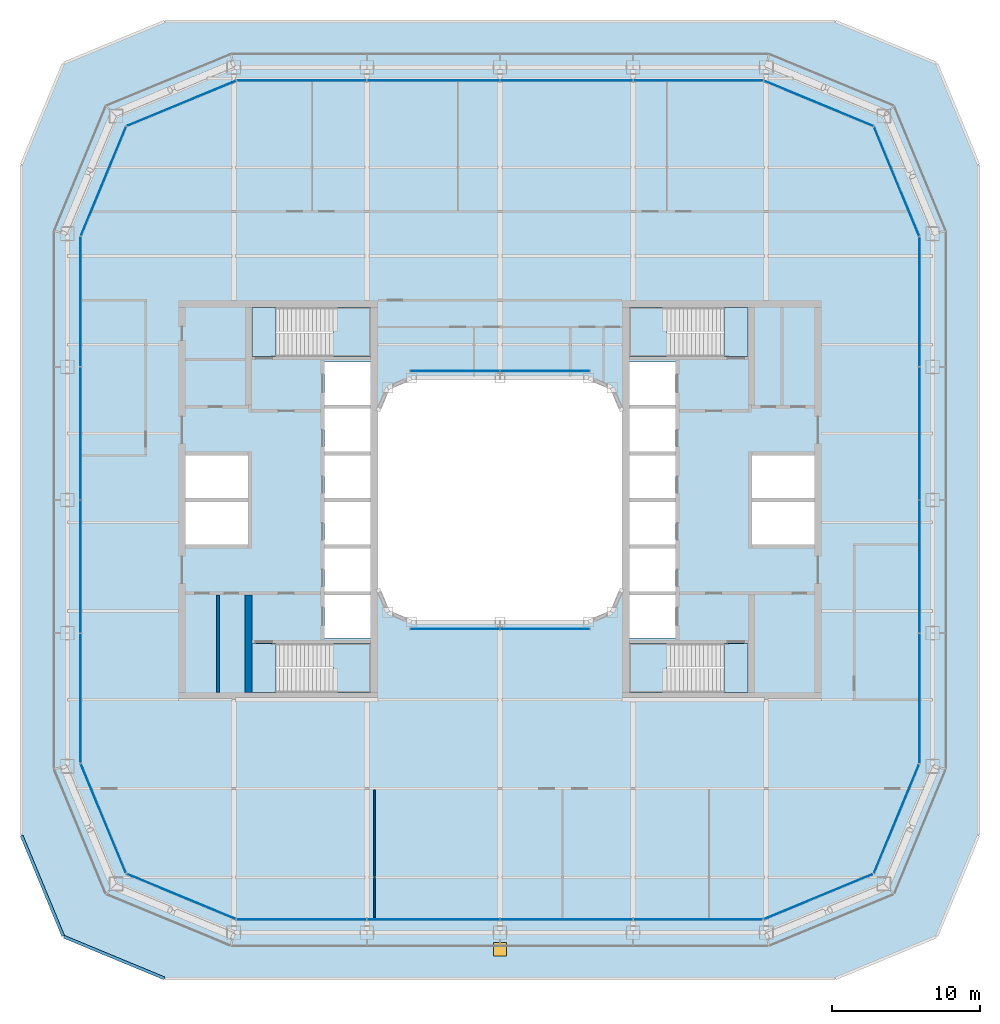
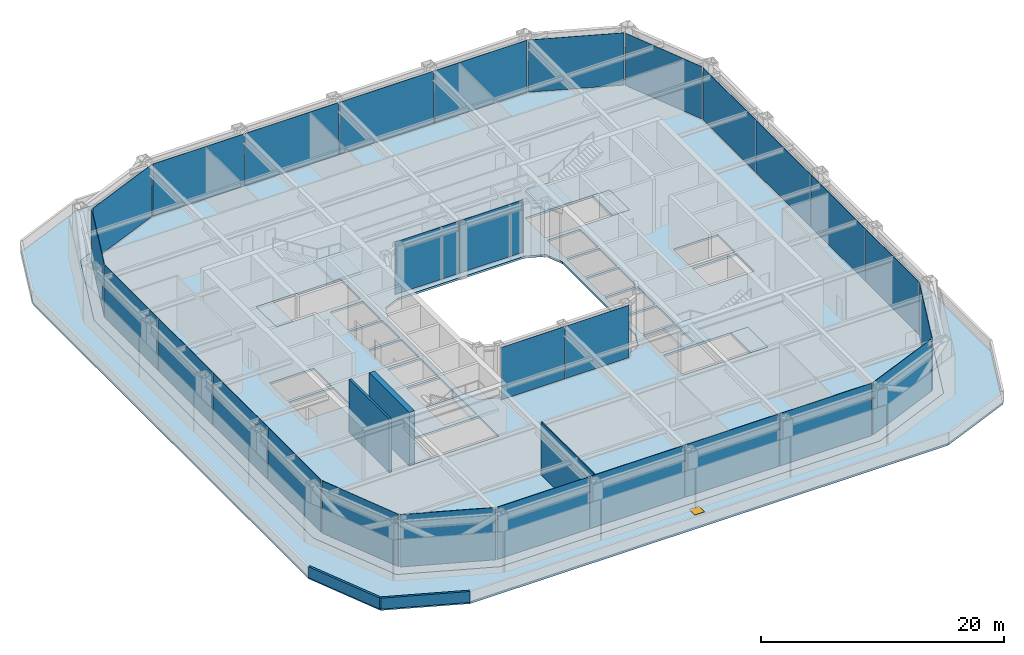
# One storey, part 10 of 21: 28 plates, 10 slabs, 5 walls, 1 window, 1 opening, 18 elements without a shape of their own.
"""IFC4 building model written with IfcOpenShell, lengths in metres."""

from ifc_helpers import new_model, si_unit, direction, frame, frame_2d, origin, origin_2d, place, context, subcontext, project, spatial, polyline, rectangle, outline, extrude, material, layer, layer_set, type_object, element, fill, aggregate, save


model = new_model("IFC4")

# Units and contexts
model_context = context("Model", 3, precision=1e-05, world=origin(), true_north=direction((0.0, 1.0)))
body_context = subcontext(model_context, "Body", "Model", "MODEL_VIEW")
ifc_project = project(units=[si_unit("LENGTHUNIT", "METRE"), si_unit("AREAUNIT", "SQUARE_METRE"), si_unit("VOLUMEUNIT", "CUBIC_METRE"), si_unit("PLANEANGLEUNIT", "RADIAN"), si_unit("MASSUNIT", "GRAM", prefix="KILO")], contexts=[model_context])

# Site, building, storey
site_placement = place(None, origin())
site = spatial("IfcSite", under=ifc_project, at=site_placement, CompositionType="ELEMENT")
building_placement = place(site_placement, origin())
building = spatial("IfcBuilding", under=site, at=building_placement, Name="Siwar Civic Tower", CompositionType="ELEMENT")
storey_placement = place(building_placement, frame((0.0, 0.0, 99.199951171875)))
storey = spatial("IfcBuildingStorey", under=building, at=storey_placement, Name="L21", CompositionType="ELEMENT", Elevation=99.199951171875)

# Stair, slabs
ifc_material_1 = material(Name="Concrete C40/50", Category="concrete")
stair_type = type_object("IfcStairType", Name="CORE-STAIR", PredefinedType="TWO_STRAIGHT_RUN_STAIR", material=ifc_material_1)
stair_1_placement = place(storey_placement, origin())
stair_1 = element("IfcStair", 1, at=stair_1_placement, inside=storey, type_object=stair_type, Name="Exit stair ST1", PredefinedType="TWO_STRAIGHT_RUN_STAIR")
ifc_material_2 = material(Name="Concrete C40/50", Category="concrete")
ifc_layer_1 = layer(ifc_material_2, 0.300048828125)
ifc_layer_set_1 = layer_set([ifc_layer_1], Name="Concrete C40/50")
slab_type_1 = type_object("IfcSlabType", Name="CORE-STAIR-LANDING", PredefinedType="LANDING", material=ifc_layer_set_1)
slab_1_placement = place(storey_placement, frame((0.0, 0.0, -0.300048828125)))
slab_1 = element("IfcSlab", 2, at=slab_1_placement, type_object=slab_type_1, Name="ST1 landing 1", PredefinedType="LANDING", context=body_context, shape_type="SweptSolid", body=[
    extrude(outline(polyline([(-15.14990234375, 13.0), (-16.75, 13.0), (-16.75, 9.699951171875), (-15.14990234375, 9.699951171875), (-15.14990234375, 13.0)])), origin(), (0.0, 0.0, 1.0), 0.300048828125),
])
slab_2_placement = place(storey_placement, frame((0.0, 0.0, 2.449951171875)))
slab_2 = element("IfcSlab", 3, at=slab_2_placement, type_object=slab_type_1, Name="ST1 landing 2", PredefinedType="LANDING", context=body_context, shape_type="SweptSolid", body=[
    extrude(outline(polyline([(-8.75, 13.0), (-11.300048828125, 13.0), (-11.300048828125, 9.699951171875), (-8.75, 9.699951171875), (-8.75, 13.0)])), origin(), (0.0, 0.0, 1.0), 0.300048828125),
])
aggregate(stair_1, [slab_1, slab_2])

stair_2_placement = place(storey_placement, origin())
stair_2 = element("IfcStair", 4, at=stair_2_placement, inside=storey, type_object=stair_type, Name="Exit stair ST2", PredefinedType="TWO_STRAIGHT_RUN_STAIR")
slab_3_placement = place(storey_placement, frame((0.0, 0.0, -0.300048828125)))
slab_3 = element("IfcSlab", 5, at=slab_3_placement, type_object=slab_type_1, Name="ST2 landing 1", PredefinedType="LANDING", context=body_context, shape_type="SweptSolid", body=[
    extrude(outline(polyline([(-15.14990234375, -9.699951171875), (-16.75, -9.699951171875), (-16.75, -13.0), (-15.14990234375, -13.0), (-15.14990234375, -9.699951171875)])), origin(), (0.0, 0.0, 1.0), 0.300048828125),
])
slab_4_placement = place(storey_placement, frame((0.0, 0.0, 2.449951171875)))
slab_4 = element("IfcSlab", 6, at=slab_4_placement, type_object=slab_type_1, Name="ST2 landing 2", PredefinedType="LANDING", context=body_context, shape_type="SweptSolid", body=[
    extrude(outline(polyline([(-8.75, -9.699951171875), (-11.300048828125, -9.699951171875), (-11.300048828125, -13.0), (-8.75, -13.0), (-8.75, -9.699951171875)])), origin(), (0.0, 0.0, 1.0), 0.300048828125),
])
aggregate(stair_2, [slab_3, slab_4])

stair_3_placement = place(storey_placement, origin())
stair_3 = element("IfcStair", 7, at=stair_3_placement, inside=storey, type_object=stair_type, Name="Exit stair ST3", PredefinedType="TWO_STRAIGHT_RUN_STAIR")
slab_5_placement = place(storey_placement, frame((0.0, 0.0, -0.300048828125)))
slab_5 = element("IfcSlab", 8, at=slab_5_placement, type_object=slab_type_1, Name="ST3 landing 1", PredefinedType="LANDING", context=body_context, shape_type="SweptSolid", body=[
    extrude(outline(polyline([(15.14990234375, 9.699951171875), (16.75, 9.699951171875), (16.75, 13.0), (15.14990234375, 13.0), (15.14990234375, 9.699951171875)])), origin(), (0.0, 0.0, 1.0), 0.300048828125),
])
slab_6_placement = place(storey_placement, frame((0.0, 0.0, 2.449951171875)))
slab_6 = element("IfcSlab", 9, at=slab_6_placement, type_object=slab_type_1, Name="ST3 landing 2", PredefinedType="LANDING", context=body_context, shape_type="SweptSolid", body=[
    extrude(outline(polyline([(8.75, 9.699951171875), (11.300048828125, 9.699951171875), (11.300048828125, 13.0), (8.75, 13.0), (8.75, 9.699951171875)])), origin(), (0.0, 0.0, 1.0), 0.300048828125),
])
aggregate(stair_3, [slab_5, slab_6])

stair_4_placement = place(storey_placement, origin())
stair_4 = element("IfcStair", 10, at=stair_4_placement, inside=storey, type_object=stair_type, Name="Exit stair ST4", PredefinedType="TWO_STRAIGHT_RUN_STAIR")
slab_7_placement = place(storey_placement, frame((0.0, 0.0, -0.300048828125)))
slab_7 = element("IfcSlab", 11, at=slab_7_placement, type_object=slab_type_1, Name="ST4 landing 1", PredefinedType="LANDING", context=body_context, shape_type="SweptSolid", body=[
    extrude(outline(polyline([(15.14990234375, -13.0), (16.75, -13.0), (16.75, -9.699951171875), (15.14990234375, -9.699951171875), (15.14990234375, -13.0)])), origin(), (0.0, 0.0, 1.0), 0.300048828125),
])
slab_8_placement = place(storey_placement, frame((0.0, 0.0, 2.449951171875)))
slab_8 = element("IfcSlab", 12, at=slab_8_placement, type_object=slab_type_1, Name="ST4 landing 2", PredefinedType="LANDING", context=body_context, shape_type="SweptSolid", body=[
    extrude(outline(polyline([(8.75, -13.0), (11.300048828125, -13.0), (11.300048828125, -9.699951171875), (8.75, -9.699951171875), (8.75, -13.0)])), origin(), (0.0, 0.0, 1.0), 0.300048828125),
])
aggregate(stair_4, [slab_7, slab_8])

# Curtain wall, plates
ifc_material_3 = material(Name="Aluminium and glass", Category="aluminium")
ifc_layer_2 = layer(ifc_material_3, 0.199951171875)
ifc_layer_set_2 = layer_set([ifc_layer_2], Name="Aluminium and glass")
curtain_wall_type_1 = type_object("IfcCurtainWallType", Name="ENV-CW-B", PredefinedType="NOTDEFINED", material=ifc_layer_set_2)
curtain_wall_1_placement = place(storey_placement, origin())
curtain_wall_1 = element("IfcCurtainWall", 13, at=curtain_wall_1_placement, inside=storey, type_object=curtain_wall_type_1, Name="Curtain wall B S", PredefinedType="NOTDEFINED")
ifc_material_4 = material(Name="Glass clear laminated", Category="glass")
ifc_layer_3 = layer(ifc_material_4, 0.033935546875)
ifc_layer_set_3 = layer_set([ifc_layer_3], Name="Glass clear laminated")
plate_type_1 = type_object("IfcPlateType", Name="ENV-PANEL-B", PredefinedType="CURTAIN_PANEL", material=ifc_layer_set_3)
plate_1_placement = place(storey_placement, frame((-13.410400390625, -28.35009765625, 0.10986328125), z_axis=(0.0, 0.0, 1.0), x_axis=(1.0, 0.0, 0.0)))
plate_1 = element("IfcPlate", 14, at=plate_1_placement, type_object=plate_type_1, Name="Curtain panel B S 1", PredefinedType="CURTAIN_PANEL", context=body_context, shape_type="SweptSolid", body=[
    extrude(rectangle(XDim=8.755859375, YDim=0.033935546875, at=origin_2d()), origin(), (0.0, 0.0, 1.0), 5.239990234375),
])
plate_2_placement = place(storey_placement, frame((-4.5, -28.35009765625, 0.10986328125), z_axis=(0.0, 0.0, 1.0), x_axis=(1.0, 0.0, 0.0)))
plate_2 = element("IfcPlate", 15, at=plate_2_placement, type_object=plate_type_1, Name="Curtain panel B S 2", PredefinedType="CURTAIN_PANEL", context=body_context, shape_type="SweptSolid", body=[
    extrude(rectangle(XDim=8.93505859375, YDim=0.033935546875, at=origin_2d()), origin(), (0.0, 0.0, 1.0), 5.239990234375),
])
plate_3_placement = place(storey_placement, frame((4.5, -28.35009765625, 0.10986328125), z_axis=(0.0, 0.0, 1.0), x_axis=(1.0, 0.0, 0.0)))
plate_3 = element("IfcPlate", 16, at=plate_3_placement, type_object=plate_type_1, Name="Curtain panel B S 3", PredefinedType="CURTAIN_PANEL", context=body_context, shape_type="SweptSolid", body=[
    extrude(rectangle(XDim=8.93505859375, YDim=0.033935546875, at=origin_2d()), origin(), (0.0, 0.0, 1.0), 5.239990234375),
])
plate_4_placement = place(storey_placement, frame((13.369873046875, -28.35009765625, 0.10986328125), z_axis=(0.0, 0.0, 1.0), x_axis=(1.0, 0.0, 0.0)))
plate_4 = element("IfcPlate", 17, at=plate_4_placement, type_object=plate_type_1, Name="Curtain panel B S 4", PredefinedType="CURTAIN_PANEL", context=body_context, shape_type="SweptSolid", body=[
    extrude(rectangle(XDim=8.6748046875, YDim=0.033935546875, at=origin_2d()), origin(), (0.0, 0.0, 1.0), 5.239990234375),
])
aggregate(curtain_wall_1, [plate_1, plate_2, plate_3, plate_4])

curtain_wall_2_placement = place(storey_placement, origin())
curtain_wall_2 = element("IfcCurtainWall", 18, at=curtain_wall_2_placement, inside=storey, type_object=curtain_wall_type_1, Name="Curtain wall B E", PredefinedType="NOTDEFINED")
plate_5_placement = place(storey_placement, frame((28.35009765625, -13.410400390625, 0.10986328125), z_axis=(0.0, 0.0, 1.0), x_axis=(0.0, 1.0, 0.0)))
plate_5 = element("IfcPlate", 19, at=plate_5_placement, type_object=plate_type_1, Name="Curtain panel B E 1", PredefinedType="CURTAIN_PANEL", context=body_context, shape_type="SweptSolid", body=[
    extrude(rectangle(XDim=8.755859375, YDim=0.033935546875, at=origin_2d()), origin(), (0.0, 0.0, 1.0), 5.239990234375),
])
plate_6_placement = place(storey_placement, frame((28.35009765625, -4.5, 0.10986328125), z_axis=(0.0, 0.0, 1.0), x_axis=(0.0, 1.0, 0.0)))
plate_6 = element("IfcPlate", 20, at=plate_6_placement, type_object=plate_type_1, Name="Curtain panel B E 2", PredefinedType="CURTAIN_PANEL", context=body_context, shape_type="SweptSolid", body=[
    extrude(rectangle(XDim=8.93505859375, YDim=0.033935546875, at=origin_2d()), origin(), (0.0, 0.0, 1.0), 5.239990234375),
])
plate_7_placement = place(storey_placement, frame((28.35009765625, 4.5, 0.10986328125), z_axis=(0.0, 0.0, 1.0), x_axis=(0.0, 1.0, 0.0)))
plate_7 = element("IfcPlate", 21, at=plate_7_placement, type_object=plate_type_1, Name="Curtain panel B E 3", PredefinedType="CURTAIN_PANEL", context=body_context, shape_type="SweptSolid", body=[
    extrude(rectangle(XDim=8.93505859375, YDim=0.033935546875, at=origin_2d()), origin(), (0.0, 0.0, 1.0), 5.239990234375),
])
plate_8_placement = place(storey_placement, frame((28.35009765625, 13.369873046875, 0.10986328125), z_axis=(0.0, 0.0, 1.0), x_axis=(0.0, 1.0, 0.0)))
plate_8 = element("IfcPlate", 22, at=plate_8_placement, type_object=plate_type_1, Name="Curtain panel B E 4", PredefinedType="CURTAIN_PANEL", context=body_context, shape_type="SweptSolid", body=[
    extrude(rectangle(XDim=8.6748046875, YDim=0.033935546875, at=origin_2d()), origin(), (0.0, 0.0, 1.0), 5.239990234375),
])
aggregate(curtain_wall_2, [plate_5, plate_6, plate_7, plate_8])

curtain_wall_3_placement = place(storey_placement, origin())
curtain_wall_3 = element("IfcCurtainWall", 23, at=curtain_wall_3_placement, inside=storey, type_object=curtain_wall_type_1, Name="Curtain wall B N", PredefinedType="NOTDEFINED")
plate_9_placement = place(storey_placement, frame((13.410400390625, 28.35009765625, 0.10986328125), z_axis=(0.0, 0.0, 1.0), x_axis=(-1.0, 0.0, 0.0)))
plate_9 = element("IfcPlate", 24, at=plate_9_placement, type_object=plate_type_1, Name="Curtain panel B N 1", PredefinedType="CURTAIN_PANEL", context=body_context, shape_type="SweptSolid", body=[
    extrude(rectangle(XDim=8.755859375, YDim=0.033935546875, at=origin_2d()), origin(), (0.0, 0.0, 1.0), 5.239990234375),
])
plate_10_placement = place(storey_placement, frame((4.5, 28.35009765625, 0.10986328125), z_axis=(0.0, 0.0, 1.0), x_axis=(-1.0, 0.0, 0.0)))
plate_10 = element("IfcPlate", 25, at=plate_10_placement, type_object=plate_type_1, Name="Curtain panel B N 2", PredefinedType="CURTAIN_PANEL", context=body_context, shape_type="SweptSolid", body=[
    extrude(rectangle(XDim=8.93505859375, YDim=0.033935546875, at=origin_2d()), origin(), (0.0, 0.0, 1.0), 5.239990234375),
])
plate_11_placement = place(storey_placement, frame((-4.5, 28.35009765625, 0.10986328125), z_axis=(0.0, 0.0, 1.0), x_axis=(-1.0, 0.0, 0.0)))
plate_11 = element("IfcPlate", 26, at=plate_11_placement, type_object=plate_type_1, Name="Curtain panel B N 3", PredefinedType="CURTAIN_PANEL", context=body_context, shape_type="SweptSolid", body=[
    extrude(rectangle(XDim=8.93505859375, YDim=0.033935546875, at=origin_2d()), origin(), (0.0, 0.0, 1.0), 5.239990234375),
])
plate_12_placement = place(storey_placement, frame((-13.369873046875, 28.35009765625, 0.10986328125), z_axis=(0.0, 0.0, 1.0), x_axis=(-1.0, 0.0, 0.0)))
plate_12 = element("IfcPlate", 27, at=plate_12_placement, type_object=plate_type_1, Name="Curtain panel B N 4", PredefinedType="CURTAIN_PANEL", context=body_context, shape_type="SweptSolid", body=[
    extrude(rectangle(XDim=8.6748046875, YDim=0.033935546875, at=origin_2d()), origin(), (0.0, 0.0, 1.0), 5.239990234375),
])
aggregate(curtain_wall_3, [plate_9, plate_10, plate_11, plate_12])

curtain_wall_4_placement = place(storey_placement, origin())
curtain_wall_4 = element("IfcCurtainWall", 28, at=curtain_wall_4_placement, inside=storey, type_object=curtain_wall_type_1, Name="Curtain wall B W", PredefinedType="NOTDEFINED")
plate_13_placement = place(storey_placement, frame((-28.35009765625, 13.410400390625, 0.10986328125), z_axis=(0.0, 0.0, 1.0), x_axis=(0.0, -1.0, 0.0)))
plate_13 = element("IfcPlate", 29, at=plate_13_placement, type_object=plate_type_1, Name="Curtain panel B W 1", PredefinedType="CURTAIN_PANEL", context=body_context, shape_type="SweptSolid", body=[
    extrude(rectangle(XDim=8.755859375, YDim=0.033935546875, at=origin_2d()), origin(), (0.0, 0.0, 1.0), 5.239990234375),
])
plate_14_placement = place(storey_placement, frame((-28.35009765625, 4.5, 0.10986328125), z_axis=(0.0, 0.0, 1.0), x_axis=(0.0, -1.0, 0.0)))
plate_14 = element("IfcPlate", 30, at=plate_14_placement, type_object=plate_type_1, Name="Curtain panel B W 2", PredefinedType="CURTAIN_PANEL", context=body_context, shape_type="SweptSolid", body=[
    extrude(rectangle(XDim=8.93505859375, YDim=0.033935546875, at=origin_2d()), origin(), (0.0, 0.0, 1.0), 5.239990234375),
])
plate_15_placement = place(storey_placement, frame((-28.35009765625, -4.5, 0.10986328125), z_axis=(0.0, 0.0, 1.0), x_axis=(0.0, -1.0, 0.0)))
plate_15 = element("IfcPlate", 31, at=plate_15_placement, type_object=plate_type_1, Name="Curtain panel B W 3", PredefinedType="CURTAIN_PANEL", context=body_context, shape_type="SweptSolid", body=[
    extrude(rectangle(XDim=8.93505859375, YDim=0.033935546875, at=origin_2d()), origin(), (0.0, 0.0, 1.0), 5.239990234375),
])
plate_16_placement = place(storey_placement, frame((-28.35009765625, -13.369873046875, 0.10986328125), z_axis=(0.0, 0.0, 1.0), x_axis=(0.0, -1.0, 0.0)))
plate_16 = element("IfcPlate", 32, at=plate_16_placement, type_object=plate_type_1, Name="Curtain panel B W 4", PredefinedType="CURTAIN_PANEL", context=body_context, shape_type="SweptSolid", body=[
    extrude(rectangle(XDim=8.6748046875, YDim=0.033935546875, at=origin_2d()), origin(), (0.0, 0.0, 1.0), 5.239990234375),
])
aggregate(curtain_wall_4, [plate_13, plate_14, plate_15, plate_16])

# Curtain wall, plate
ifc_material_5 = material(Name="Aluminium clad insulated panel", Category="aluminium")
ifc_layer_4 = layer(ifc_material_5, 0.199951171875)
ifc_layer_set_4 = layer_set([ifc_layer_4], Name="Aluminium clad insulated panel")
curtain_wall_type_2 = type_object("IfcCurtainWallType", Name="ENV-CW-BX", PredefinedType="NOTDEFINED", material=ifc_layer_set_4)
curtain_wall_5_placement = place(storey_placement, origin())
curtain_wall_5 = element("IfcCurtainWall", 33, at=curtain_wall_5_placement, inside=storey, type_object=curtain_wall_type_2, Name="Curtain wall B SE1", PredefinedType="NOTDEFINED")
ifc_material_6 = material(Name="Aluminium clad insulated panel", Category="aluminium")
ifc_layer_5 = layer(ifc_material_6, 0.033935546875)
ifc_layer_set_5 = layer_set([ifc_layer_5], Name="Aluminium clad insulated panel")
plate_type_2 = type_object("IfcPlateType", Name="ENV-PANEL-BX", PredefinedType="CURTAIN_PANEL", material=ifc_layer_set_5)
plate_17_placement = place(storey_placement, frame((21.506103515625, -26.823486328125, 0.10986328125), z_axis=(0.0, 0.0, 1.0), x_axis=(0.923879532511, 0.382683432365, 0.0)))
plate_17 = element("IfcPlate", 34, at=plate_17_placement, type_object=plate_type_2, Name="Curtain panel B SE1 1", PredefinedType="CURTAIN_PANEL", context=body_context, shape_type="SweptSolid", body=[
    extrude(rectangle(XDim=7.912353515625, YDim=0.033935546875, at=origin_2d()), origin(), (0.0, 0.0, 1.0), 5.239990234375),
])
aggregate(curtain_wall_5, [plate_17])

curtain_wall_6_placement = place(storey_placement, origin())
curtain_wall_6 = element("IfcCurtainWall", 35, at=curtain_wall_6_placement, inside=storey, type_object=curtain_wall_type_2, Name="Curtain wall B SE2", PredefinedType="NOTDEFINED")
plate_18_placement = place(storey_placement, frame((26.79248046875, -21.5810546875, 0.10986328125), z_axis=(0.0, 0.0, 1.0), x_axis=(0.382683432365, 0.923879532511, 0.0)))
plate_18 = element("IfcPlate", 36, at=plate_18_placement, type_object=plate_type_2, Name="Curtain panel B SE2 1", PredefinedType="CURTAIN_PANEL", context=body_context, shape_type="SweptSolid", body=[
    extrude(rectangle(XDim=7.912353515625, YDim=0.033935546875, at=origin_2d()), origin(), (0.0, 0.0, 1.0), 5.239990234375),
])
aggregate(curtain_wall_6, [plate_18])

curtain_wall_7_placement = place(storey_placement, origin())
curtain_wall_7 = element("IfcCurtainWall", 37, at=curtain_wall_7_placement, inside=storey, type_object=curtain_wall_type_2, Name="Curtain wall B NE1", PredefinedType="NOTDEFINED")
plate_19_placement = place(storey_placement, frame((26.823486328125, 21.506103515625, 0.10986328125), z_axis=(0.0, 0.0, 1.0), x_axis=(-0.382683432365, 0.923879532511, 0.0)))
plate_19 = element("IfcPlate", 38, at=plate_19_placement, type_object=plate_type_2, Name="Curtain panel B NE1 1", PredefinedType="CURTAIN_PANEL", context=body_context, shape_type="SweptSolid", body=[
    extrude(rectangle(XDim=7.912353515625, YDim=0.033935546875, at=origin_2d()), origin(), (0.0, 0.0, 1.0), 5.239990234375),
])
aggregate(curtain_wall_7, [plate_19])

curtain_wall_8_placement = place(storey_placement, origin())
curtain_wall_8 = element("IfcCurtainWall", 39, at=curtain_wall_8_placement, inside=storey, type_object=curtain_wall_type_2, Name="Curtain wall B NE2", PredefinedType="NOTDEFINED")
plate_20_placement = place(storey_placement, frame((21.5810546875, 26.79248046875, 0.10986328125), z_axis=(0.0, 0.0, 1.0), x_axis=(-0.923879532511, 0.382683432365, 0.0)))
plate_20 = element("IfcPlate", 40, at=plate_20_placement, type_object=plate_type_2, Name="Curtain panel B NE2 1", PredefinedType="CURTAIN_PANEL", context=body_context, shape_type="SweptSolid", body=[
    extrude(rectangle(XDim=7.912353515625, YDim=0.033935546875, at=origin_2d()), origin(), (0.0, 0.0, 1.0), 5.239990234375),
])
aggregate(curtain_wall_8, [plate_20])

curtain_wall_9_placement = place(storey_placement, origin())
curtain_wall_9 = element("IfcCurtainWall", 41, at=curtain_wall_9_placement, inside=storey, type_object=curtain_wall_type_2, Name="Curtain wall B NW1", PredefinedType="NOTDEFINED")
plate_21_placement = place(storey_placement, frame((-21.506103515625, 26.823486328125, 0.10986328125), z_axis=(0.0, 0.0, 1.0), x_axis=(-0.923879532511, -0.382683432365, 0.0)))
plate_21 = element("IfcPlate", 42, at=plate_21_placement, type_object=plate_type_2, Name="Curtain panel B NW1 1", PredefinedType="CURTAIN_PANEL", context=body_context, shape_type="SweptSolid", body=[
    extrude(rectangle(XDim=7.912353515625, YDim=0.033935546875, at=origin_2d()), origin(), (0.0, 0.0, 1.0), 5.239990234375),
])
aggregate(curtain_wall_9, [plate_21])

curtain_wall_10_placement = place(storey_placement, origin())
curtain_wall_10 = element("IfcCurtainWall", 43, at=curtain_wall_10_placement, inside=storey, type_object=curtain_wall_type_2, Name="Curtain wall B NW2", PredefinedType="NOTDEFINED")
plate_22_placement = place(storey_placement, frame((-26.79248046875, 21.5810546875, 0.10986328125), z_axis=(0.0, 0.0, 1.0), x_axis=(-0.382683432365, -0.923879532511, 0.0)))
plate_22 = element("IfcPlate", 44, at=plate_22_placement, type_object=plate_type_2, Name="Curtain panel B NW2 1", PredefinedType="CURTAIN_PANEL", context=body_context, shape_type="SweptSolid", body=[
    extrude(rectangle(XDim=7.912353515625, YDim=0.033935546875, at=origin_2d()), origin(), (0.0, 0.0, 1.0), 5.239990234375),
])
aggregate(curtain_wall_10, [plate_22])

curtain_wall_11_placement = place(storey_placement, origin())
curtain_wall_11 = element("IfcCurtainWall", 45, at=curtain_wall_11_placement, inside=storey, type_object=curtain_wall_type_2, Name="Curtain wall B SW1", PredefinedType="NOTDEFINED")
plate_23_placement = place(storey_placement, frame((-26.823486328125, -21.506103515625, 0.10986328125), z_axis=(0.0, 0.0, 1.0), x_axis=(0.382683432365, -0.923879532511, 0.0)))
plate_23 = element("IfcPlate", 46, at=plate_23_placement, type_object=plate_type_2, Name="Curtain panel B SW1 1", PredefinedType="CURTAIN_PANEL", context=body_context, shape_type="SweptSolid", body=[
    extrude(rectangle(XDim=7.912353515625, YDim=0.033935546875, at=origin_2d()), origin(), (0.0, 0.0, 1.0), 5.239990234375),
])
aggregate(curtain_wall_11, [plate_23])

curtain_wall_12_placement = place(storey_placement, origin())
curtain_wall_12 = element("IfcCurtainWall", 47, at=curtain_wall_12_placement, inside=storey, type_object=curtain_wall_type_2, Name="Curtain wall B SW2", PredefinedType="NOTDEFINED")
plate_24_placement = place(storey_placement, frame((-21.5810546875, -26.79248046875, 0.10986328125), z_axis=(0.0, 0.0, 1.0), x_axis=(0.923879532511, -0.382683432365, 0.0)))
plate_24 = element("IfcPlate", 48, at=plate_24_placement, type_object=plate_type_2, Name="Curtain panel B SW2 1", PredefinedType="CURTAIN_PANEL", context=body_context, shape_type="SweptSolid", body=[
    extrude(rectangle(XDim=7.912353515625, YDim=0.033935546875, at=origin_2d()), origin(), (0.0, 0.0, 1.0), 5.239990234375),
])
aggregate(curtain_wall_12, [plate_24])

# Curtain wall, plates
ifc_material_7 = material(Name="Aluminium and glass", Category="aluminium")
ifc_layer_6 = layer(ifc_material_7, 0.179931640625)
ifc_layer_set_6 = layer_set([ifc_layer_6], Name="Aluminium and glass")
curtain_wall_type_3 = type_object("IfcCurtainWallType", Name="ENV-CW-W", PredefinedType="NOTDEFINED", material=ifc_layer_set_6)
curtain_wall_13_placement = place(storey_placement, origin())
curtain_wall_13 = element("IfcCurtainWall", 49, at=curtain_wall_13_placement, inside=storey, type_object=curtain_wall_type_3, Name="Curtain wall W WS", PredefinedType="NOTDEFINED")
ifc_material_8 = material(Name="Glass clear laminated", Category="glass")
ifc_layer_7 = layer(ifc_material_8, 0.031982421875)
ifc_layer_set_7 = layer_set([ifc_layer_7], Name="Glass clear laminated")
plate_type_3 = type_object("IfcPlateType", Name="ENV-PANEL-W", PredefinedType="CURTAIN_PANEL", material=ifc_layer_set_7)
plate_25_placement = place(storey_placement, frame((-3.045654296875, -8.7099609375, 0.10009765625), z_axis=(0.0, 0.0, 1.0), x_axis=(1.0, 0.0, 0.0)))
plate_25 = element("IfcPlate", 50, at=plate_25_placement, type_object=plate_type_3, Name="Curtain panel W WS 1", PredefinedType="CURTAIN_PANEL", context=body_context, shape_type="SweptSolid", body=[
    extrude(rectangle(XDim=6.031494140625, YDim=0.031982421875, at=origin_2d()), origin(), (0.0, 0.0, 1.0), 5.25),
])
plate_26_placement = place(storey_placement, frame((3.045654296875, -8.7099609375, 0.10009765625), z_axis=(0.0, 0.0, 1.0), x_axis=(1.0, 0.0, 0.0)))
plate_26 = element("IfcPlate", 51, at=plate_26_placement, type_object=plate_type_3, Name="Curtain panel W WS 2", PredefinedType="CURTAIN_PANEL", context=body_context, shape_type="SweptSolid", body=[
    extrude(rectangle(XDim=6.031494140625, YDim=0.031982421875, at=origin_2d()), origin(), (0.0, 0.0, 1.0), 5.25),
])
aggregate(curtain_wall_13, [plate_25, plate_26])

curtain_wall_14_placement = place(storey_placement, origin())
curtain_wall_14 = element("IfcCurtainWall", 52, at=curtain_wall_14_placement, inside=storey, type_object=curtain_wall_type_3, Name="Curtain wall W WN", PredefinedType="NOTDEFINED")
plate_27_placement = place(storey_placement, frame((3.045654296875, 8.7099609375, 0.10009765625), z_axis=(0.0, 0.0, 1.0), x_axis=(-1.0, 0.0, 0.0)))
plate_27 = element("IfcPlate", 53, at=plate_27_placement, type_object=plate_type_3, Name="Curtain panel W WN 1", PredefinedType="CURTAIN_PANEL", context=body_context, shape_type="SweptSolid", body=[
    extrude(rectangle(XDim=6.031494140625, YDim=0.031982421875, at=origin_2d()), origin(), (0.0, 0.0, 1.0), 5.25),
])
plate_28_placement = place(storey_placement, frame((-3.045654296875, 8.7099609375, 0.10009765625), z_axis=(0.0, 0.0, 1.0), x_axis=(-1.0, 0.0, 0.0)))
plate_28 = element("IfcPlate", 54, at=plate_28_placement, type_object=plate_type_3, Name="Curtain panel W WN 2", PredefinedType="CURTAIN_PANEL", context=body_context, shape_type="SweptSolid", body=[
    extrude(rectangle(XDim=6.031494140625, YDim=0.031982421875, at=origin_2d()), origin(), (0.0, 0.0, 1.0), 5.25),
])
aggregate(curtain_wall_14, [plate_27, plate_28])

# Slab, opening, window
ifc_material_9 = material(Name="Concrete C40/50", Category="concrete")
ifc_layer_8 = layer(ifc_material_9, 0.199951171875)
ifc_layer_set_8 = layer_set([ifc_layer_8], Name="Concrete C40/50")
slab_type_2 = type_object("IfcSlabType", Name="ENV-SETBACK ROOF 200", PredefinedType="ROOF", material=ifc_layer_set_8)
slab_9_placement = place(storey_placement, frame((0.0, 0.0, -0.199951171875)))
slab_9 = element("IfcSlab", 55, at=slab_9_placement, inside=storey, type_object=slab_type_2, Name="Roof over L20 plant, bay 1", PredefinedType="ROOF", context=body_context, shape_type="SweptSolid", body=[
    extrude(outline(polyline([(-29.514404296875, -29.514404296875), (-22.669189453125, -32.35009765625), (22.669189453125, -32.35009765625), (29.514404296875, -29.514404296875), (32.35009765625, -22.669189453125), (32.35009765625, 22.669189453125), (29.514404296875, 29.514404296875), (22.669189453125, 32.35009765625), (-22.669189453125, 32.35009765625), (-29.514404296875, 29.514404296875), (-32.35009765625, 22.669189453125), (-32.35009765625, -22.669189453125), (-29.514404296875, -29.514404296875)]), holes=[polyline([(18.0, -29.25), (-18.0, -29.25), (-25.954833984375, -25.954833984375), (-29.25, -18.0), (-29.25, 18.0), (-25.954833984375, 25.954833984375), (-18.0, 29.25), (18.0, 29.25), (25.954833984375, 25.954833984375), (29.25, 18.0), (29.25, -18.0), (25.954833984375, -25.954833984375), (18.0, -29.25)])]), origin(), (0.0, 0.0, 1.0), 0.199951171875),
])
opening_placement = place(slab_9_placement, frame((0.0, -30.375, 0.0)))
opening = element("IfcOpeningElement", 56, at=opening_placement, cuts=slab_9, Name="Opening HT", PredefinedType="OPENING", context=body_context, shape_type="SweptSolid", body=[
    extrude(rectangle(XDim=0.89990234375, YDim=0.89990234375, at=origin_2d()), origin(), (0.0, 0.0, 1.0), 0.199951171875),
])
ifc_material_10 = material(Name="Aluminium and glass", Category="aluminium")
window_type = type_object("IfcWindowType", Name="ENV-HATCH", PartitioningType="SINGLE_PANEL", PredefinedType="SKYLIGHT", material=ifc_material_10)
window_placement = place(opening_placement, frame((0.0, 0.0, 0.14990234375)))
window = element("IfcWindow", 57, at=window_placement, inside=storey, type_object=window_type, Name="Roof hatch L20 1", OverallHeight=0.89990234375, OverallWidth=0.89990234375, PartitioningType="SINGLE_PANEL", PredefinedType="SKYLIGHT", context=body_context, shape_type="SweptSolid", body=[
    extrude(rectangle(XDim=0.89990234375, YDim=0.89990234375, at=origin_2d()), origin(), (0.0, 0.0, 1.0), 0.050048828125),
])
fill(opening, window)

# Slab
ifc_material_11 = material(Name="Concrete C40/50", Category="concrete")
ifc_layer_9 = layer(ifc_material_11, 0.199951171875)
ifc_layer_set_9 = layer_set([ifc_layer_9], Name="Concrete C40/50")
slab_type_3 = type_object("IfcSlabType", Name="STR-FLOOR-DECK-200", PredefinedType="FLOOR", material=ifc_layer_set_9)
slab_10_placement = place(storey_placement, frame((0.0, 0.0, -0.199951171875)))
element("IfcSlab", 58, at=slab_10_placement, inside=storey, type_object=slab_type_3, Name="L21/slab/1", PredefinedType="FLOOR", context=body_context, shape_type="SweptSolid", body=[
    extrude(outline(polyline([(-18.0, -29.25), (18.0, -29.25), (25.954833984375, -25.954833984375), (29.25, -18.0), (29.25, 18.0), (25.954833984375, 25.954833984375), (18.0, 29.25), (-18.0, 29.25), (-25.954833984375, 25.954833984375), (-29.25, 18.0), (-29.25, -18.0), (-25.954833984375, -25.954833984375), (-18.0, -29.25)]), holes=[polyline([(21.25, 3.02490234375), (21.25, 0.125), (17.050048828125, 0.125), (17.050048828125, 3.02490234375), (21.25, 3.02490234375)]), polyline([(17.050048828125, -0.125), (21.25, -0.125), (21.25, -3.02490234375), (17.050048828125, -3.02490234375), (17.050048828125, -0.125)]), polyline([(16.75, 13.0), (16.75, 9.699951171875), (8.75, 9.699951171875), (8.75, 13.0), (16.75, 13.0)]), polyline([(8.75, -9.699951171875), (16.75, -9.699951171875), (16.75, -13.0), (8.75, -13.0), (8.75, -9.699951171875)]), polyline([(11.85009765625, 9.324951171875), (11.85009765625, 6.425048828125), (8.75, 6.425048828125), (8.75, 9.324951171875), (11.85009765625, 9.324951171875)]), polyline([(11.85009765625, 3.02490234375), (11.85009765625, 0.125), (8.75, 0.125), (8.75, 3.02490234375), (11.85009765625, 3.02490234375)]), polyline([(11.85009765625, -0.125), (11.85009765625, -3.02490234375), (8.75, -3.02490234375), (8.75, -0.125), (11.85009765625, -0.125)]), polyline([(11.85009765625, -3.27490234375), (11.85009765625, -6.175048828125), (8.75, -6.175048828125), (8.75, -3.27490234375), (11.85009765625, -3.27490234375)]), polyline([(8.75, 6.175048828125), (11.85009765625, 6.175048828125), (11.85009765625, 3.27490234375), (8.75, 3.27490234375), (8.75, 6.175048828125)]), polyline([(8.75, -6.425048828125), (11.85009765625, -6.425048828125), (11.85009765625, -9.324951171875), (8.75, -9.324951171875), (8.75, -6.425048828125)]), polyline([(-6.0, 8.25), (6.0, 8.25), (7.591064453125, 7.591064453125), (8.25, 6.0), (8.25, -6.0), (7.591064453125, -7.591064453125), (6.0, -8.25), (-6.0, -8.25), (-7.591064453125, -7.591064453125), (-8.25, -6.0), (-8.25, 6.0), (-7.591064453125, 7.591064453125), (-6.0, 8.25)]), polyline([(-8.75, 9.699951171875), (-16.75, 9.699951171875), (-16.75, 13.0), (-8.75, 13.0), (-8.75, 9.699951171875)]), polyline([(-8.75, 0.125), (-11.85009765625, 0.125), (-11.85009765625, 3.02490234375), (-8.75, 3.02490234375), (-8.75, 0.125)]), polyline([(-8.75, -6.175048828125), (-11.85009765625, -6.175048828125), (-11.85009765625, -3.27490234375), (-8.75, -3.27490234375), (-8.75, -6.175048828125)]), polyline([(-8.75, -9.324951171875), (-11.85009765625, -9.324951171875), (-11.85009765625, -6.425048828125), (-8.75, -6.425048828125), (-8.75, -9.324951171875)]), polyline([(-8.75, -13.0), (-16.75, -13.0), (-16.75, -9.699951171875), (-8.75, -9.699951171875), (-8.75, -13.0)]), polyline([(-11.85009765625, 6.425048828125), (-11.85009765625, 9.324951171875), (-8.75, 9.324951171875), (-8.75, 6.425048828125), (-11.85009765625, 6.425048828125)]), polyline([(-11.85009765625, 3.27490234375), (-11.85009765625, 6.175048828125), (-8.75, 6.175048828125), (-8.75, 3.27490234375), (-11.85009765625, 3.27490234375)]), polyline([(-11.85009765625, -3.02490234375), (-11.85009765625, -0.125), (-8.75, -0.125), (-8.75, -3.02490234375), (-11.85009765625, -3.02490234375)]), polyline([(-21.25, -3.02490234375), (-21.25, -0.125), (-17.050048828125, -0.125), (-17.050048828125, -3.02490234375), (-21.25, -3.02490234375)]), polyline([(-17.050048828125, 0.125), (-21.25, 0.125), (-21.25, 3.02490234375), (-17.050048828125, 3.02490234375), (-17.050048828125, 0.125)])]), origin(), (0.0, 0.0, 1.0), 0.199951171875),
])

# Walls
ifc_material_12 = material(Name="Gypsum board on steel studs", Category="steel")
ifc_layer_10 = layer(ifc_material_12, 0.199951171875)
ifc_layer_set_10 = layer_set([ifc_layer_10], Name="Gypsum board on steel studs")
wall_type_1 = type_object("IfcWallType", Name="CORE-PARTITION-200", PredefinedType="PARTITIONING", material=ifc_layer_set_10)
wall_1_placement = place(storey_placement, frame((-19.050048828125, -13.0, 0.0), z_axis=(0.0, 0.0, 1.0), x_axis=(0.0, 1.0, 0.0)))
element("IfcWall", 59, at=wall_1_placement, inside=storey, type_object=wall_type_1, Name="Core partition W", PredefinedType="PARTITIONING", context=body_context, shape_type="SweptSolid", body=[
    extrude(rectangle(XDim=6.574951171875, YDim=0.199951171875, at=frame_2d((3.28759765625, 0.0))), origin(), (0.0, 0.0, 1.0), 5.35009765625),
])
ifc_material_13 = material(Name="Concrete C60/75", Category="concrete")
ifc_layer_11 = layer(ifc_material_13, 0.5)
ifc_layer_set_11 = layer_set([ifc_layer_11], Name="Concrete C60/75")
wall_type_2 = type_object("IfcWallType", Name="CORE-WALL-RC500", PredefinedType="SHEAR", material=ifc_layer_set_11)
wall_2_placement = place(storey_placement, frame((-17.0, -13.0, 0.0), z_axis=(0.0, 0.0, 1.0), x_axis=(0.0, 1.0, 0.0)))
element("IfcWall", 60, at=wall_2_placement, inside=storey, type_object=wall_type_2, Name="Core wall W", PredefinedType="SHEAR", context=body_context, shape_type="SweptSolid", body=[
    extrude(rectangle(XDim=6.574951171875, YDim=0.5, at=frame_2d((3.28759765625, 0.0))), origin(), (0.0, 0.0, 1.0), 5.35009765625),
])
ifc_material_14 = material(Name="Aluminium clad insulated panel", Category="aluminium")
ifc_layer_12 = layer(ifc_material_14, 0.199951171875)
ifc_layer_set_12 = layer_set([ifc_layer_12], Name="Aluminium clad insulated panel")
wall_type_3 = type_object("IfcWallType", Name="ENV-PARAPET", PredefinedType="PARAPET", material=ifc_layer_set_12)
for number, where, z_axis, x_axis, name in (
    (61, (-29.476318359375, -29.5302734375, 0.0), (0.0, 0.0, 1.0), (0.923879961605, -0.382682396439, 0.0), "Parapet L20 roof 1.1"),
    (62, (-32.34228515625, -22.6875, 0.0), (0.0, 0.0, 1.0), (0.382682396439, -0.923879961605, 0.0), "Parapet L20 roof 1.12"),
):
    element("IfcWall", number, at=place(storey_placement, frame(where, z_axis=z_axis, x_axis=x_axis)), inside=storey, type_object=wall_type_3, Name=name, PredefinedType="PARAPET", context=body_context, shape_type="SweptSolid", body=[
        extrude(rectangle(XDim=7.34814453125, YDim=0.199951171875, at=frame_2d((3.674072265625, 0.0))), origin(), (0.0, 0.0, 1.0), 1.10009765625),
    ])
ifc_material_15 = material(Name="Gypsum board on steel studs", Category="steel")
ifc_layer_13 = layer(ifc_material_15, 0.10009765625)
ifc_layer_set_13 = layer_set([ifc_layer_13], Name="Gypsum board on steel studs")
wall_type_4 = type_object("IfcWallType", Name="PARTITION 100 GYPSUM", PredefinedType="PARTITIONING", material=ifc_layer_set_13)
wall_3_placement = place(storey_placement, frame((-8.47998046875, -28.260009765625, 0.0), z_axis=(0.0, 0.0, 1.0), x_axis=(0.0, 1.0, 0.0)))
element("IfcWall", 63, at=wall_3_placement, inside=storey, type_object=wall_type_4, Name="L21/wall/P12", PredefinedType="PARTITIONING", context=body_context, shape_type="SweptSolid", body=[
    extrude(rectangle(XDim=8.68505859375, YDim=0.10009765625, at=frame_2d((4.342529296875, 0.0))), origin(), (0.0, 0.0, 1.0), 5.35009765625),
])

save(model, "model.ifc")
